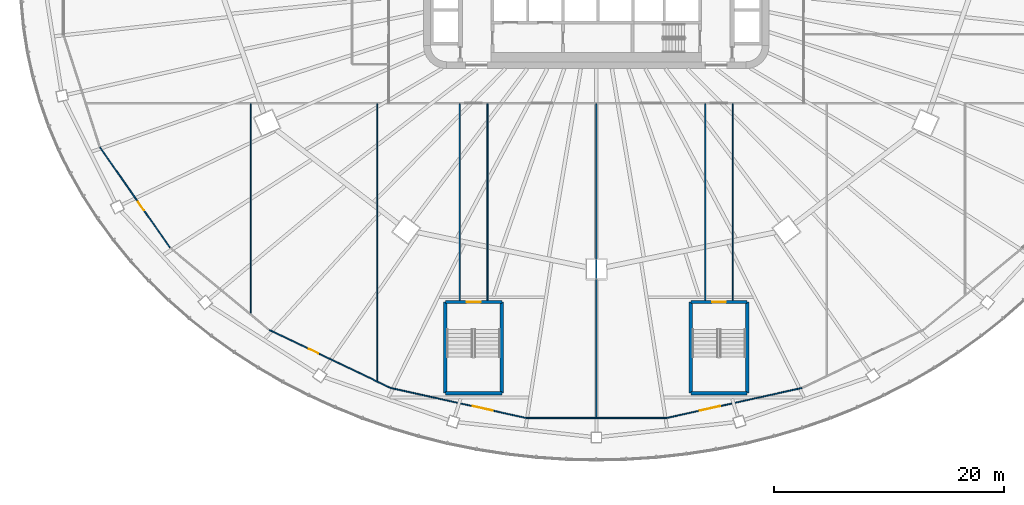
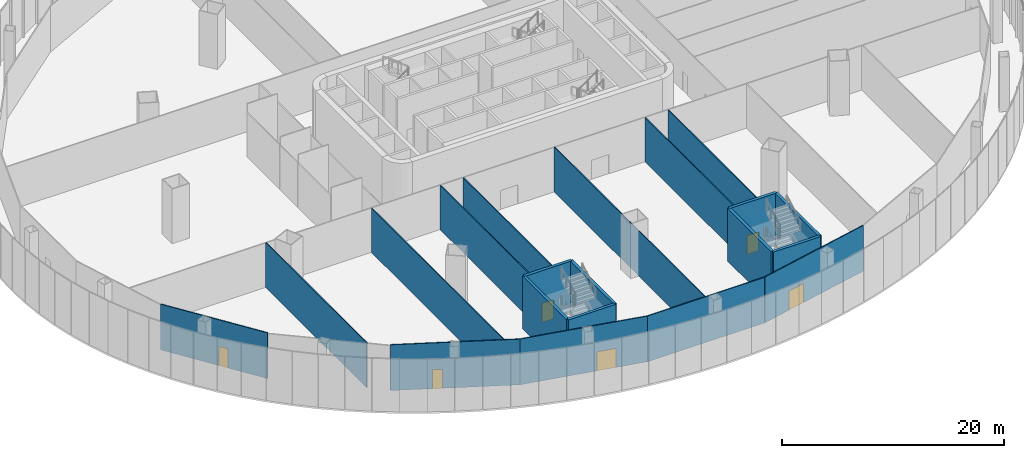
# One storey, part 20 of 37: 20 walls, 6 doors, 6 openings.
"""IFC4 building model written with IfcOpenShell, lengths in metres."""

from ifc_helpers import new_model, si_unit, direction, frame, frame_2d, origin, place, context, subcontext, project, spatial, rectangle, extrude, material, layer, layer_set, type_object, element, fill, save


model = new_model("IFC4")

# Units and contexts
model_context = context("Model", 3, precision=1e-05, world=origin(), true_north=direction((0.0, 1.0)))
body_context = subcontext(model_context, "Body", "Model", "MODEL_VIEW")
ifc_project = project(units=[si_unit("LENGTHUNIT", "METRE"), si_unit("AREAUNIT", "SQUARE_METRE"), si_unit("VOLUMEUNIT", "CUBIC_METRE"), si_unit("PLANEANGLEUNIT", "RADIAN"), si_unit("MASSUNIT", "GRAM", prefix="KILO")], contexts=[model_context])

# Site, building, storey
site_placement = place(None, origin())
site = spatial("IfcSite", under=ifc_project, at=site_placement, CompositionType="ELEMENT")
building_placement = place(site_placement, origin())
building = spatial("IfcBuilding", under=site, at=building_placement, Name="Sahrelin Media Tower", CompositionType="ELEMENT")
storey_placement = place(building_placement, frame((0.0, 0.0, 31.39990234375)))
storey = spatial("IfcBuildingStorey", under=building, at=storey_placement, Name="L04", CompositionType="ELEMENT", Elevation=31.39990234375)

# Wall, opening, door
ifc_material_1 = material(Name="Gypsum board partition")
ifc_layer_1 = layer(ifc_material_1, 0.10009765625)
ifc_layer_set_1 = layer_set([ifc_layer_1], Name="Partition 100")
wall_type_1 = type_object("IfcWallType", Name="Partition 100", PredefinedType="PARTITIONING", material=ifc_layer_set_1)
wall_1_placement = place(storey_placement, frame((-43.09912109375, -14.790771484375, 0.0), z_axis=(0.0, 0.0, 1.0), x_axis=(0.571737958261, -0.820436290692, 0.0)))
wall_1 = element("IfcWall", 1, at=wall_1_placement, inside=storey, type_object=wall_type_1, Name="Wall", PredefinedType="PARTITIONING", context=body_context, shape_type="SweptSolid", body=[
    extrude(rectangle(XDim=10.650146484375, YDim=0.10009765625, at=frame_2d((5.3251953125, 0.0))), origin(), (0.0, 0.0, 1.0), 5.026123046875),
])
opening_1_placement = place(wall_1_placement, frame((5.7900390625, 0.0, 0.0)))
opening_1 = element("IfcOpeningElement", 2, at=opening_1_placement, cuts=wall_1, Name="Opening L04-D28", PredefinedType="OPENING", context=body_context, shape_type="SweptSolid", body=[
    extrude(rectangle(XDim=0.89990234375, YDim=2.10009765625, at=frame_2d((0.449951171875, 1.050048828125))), frame((0.0, 0.050048828125, 0.0), z_axis=(0.0, -1.0, 0.0), x_axis=(1.0, 0.0, 0.0)), (0.0, 0.0, 1.0), 0.10009765625),
])
ifc_material_2 = material(Name="Timber door leaf", Category="wood")
door_type_1 = type_object("IfcDoorType", Name="Single door 900 x 2100", OperationType="NOTDEFINED", PredefinedType="DOOR", material=ifc_material_2)
door_1_placement = place(opening_1_placement, origin())
door_1 = element("IfcDoor", 3, at=door_1_placement, inside=storey, type_object=door_type_1, Name="Single door", OperationType="SINGLE_SWING_RIGHT", OverallHeight=2.10009765625, OverallWidth=0.89990234375, PredefinedType="DOOR", context=body_context, shape_type="SweptSolid", body=[
    extrude(rectangle(XDim=0.89990234375, YDim=2.10009765625, at=frame_2d((0.449951171875, 1.050048828125))), frame((0.0, 0.02490234375, 0.0), z_axis=(0.0, -1.0, 0.0), x_axis=(1.0, 0.0, 0.0)), (0.0, 0.0, 1.0), 0.050048828125),
])
fill(opening_1, door_1)

wall_2_placement = place(storey_placement, frame((-28.398681640625, -30.6630859375, 0.0), z_axis=(0.0, 0.0, 1.0), x_axis=(0.902100999032, -0.431524955878, 0.0)))
wall_2 = element("IfcWall", 4, at=wall_2_placement, inside=storey, type_object=wall_type_1, Name="Wall", PredefinedType="PARTITIONING", context=body_context, shape_type="SweptSolid", body=[
    extrude(rectangle(XDim=11.69091796875, YDim=0.10009765625, at=frame_2d((5.845458984375, 0.0))), origin(), (0.0, 0.0, 1.0), 5.026123046875),
])
opening_2_placement = place(wall_2_placement, frame((3.820068359375, 0.0, 0.0)))
opening_2 = element("IfcOpeningElement", 5, at=opening_2_placement, cuts=wall_2, Name="Opening L04-D29", PredefinedType="OPENING", context=body_context, shape_type="SweptSolid", body=[
    extrude(rectangle(XDim=0.89990234375, YDim=2.10009765625, at=frame_2d((0.449951171875, 1.050048828125))), frame((0.0, 0.050048828125, 0.0), z_axis=(0.0, -1.0, 0.0), x_axis=(1.0, 0.0, 0.0)), (0.0, 0.0, 1.0), 0.10009765625),
])
door_2_placement = place(opening_2_placement, origin())
door_2 = element("IfcDoor", 6, at=door_2_placement, inside=storey, type_object=door_type_1, Name="Single door", OperationType="SINGLE_SWING_LEFT", OverallHeight=2.10009765625, OverallWidth=0.89990234375, PredefinedType="DOOR", context=body_context, shape_type="SweptSolid", body=[
    extrude(rectangle(XDim=0.89990234375, YDim=2.10009765625, at=frame_2d((0.449951171875, 1.050048828125))), frame((0.0, 0.02490234375, 0.0), z_axis=(0.0, -1.0, 0.0), x_axis=(1.0, 0.0, 0.0)), (0.0, 0.0, 1.0), 0.050048828125),
])
fill(opening_2, door_2)

wall_3_placement = place(storey_placement, frame((-17.852294921875, -35.7080078125, 0.0), z_axis=(0.0, 0.0, 1.0), x_axis=(0.97623471049, -0.216715920124, 0.0)))
wall_3 = element("IfcWall", 7, at=wall_3_placement, inside=storey, type_object=wall_type_1, Name="Wall", PredefinedType="PARTITIONING", context=body_context, shape_type="SweptSolid", body=[
    extrude(rectangle(XDim=12.049560546875, YDim=0.10009765625, at=frame_2d((6.02490234375, 0.0))), origin(), (0.0, 0.0, 1.0), 5.026123046875),
])
opening_3_placement = place(wall_3_placement, frame((7.2958984375, 0.0, 0.0)))
opening_3 = element("IfcOpeningElement", 8, at=opening_3_placement, cuts=wall_3, Name="Opening L04-D31", PredefinedType="OPENING", context=body_context, shape_type="SweptSolid", body=[
    extrude(rectangle(XDim=1.800048828125, YDim=2.10009765625, at=frame_2d((0.89990234375, 1.050048828125))), frame((0.0, 0.050048828125, 0.0), z_axis=(0.0, -1.0, 0.0), x_axis=(1.0, 0.0, 0.0)), (0.0, 0.0, 1.0), 0.10009765625),
])
door_type_2 = type_object("IfcDoorType", Name="Double door 1800 x 2100", OperationType="DOUBLE_DOOR_SINGLE_SWING", PredefinedType="DOOR", material=ifc_material_2)
door_3_placement = place(opening_3_placement, origin())
door_3 = element("IfcDoor", 9, at=door_3_placement, inside=storey, type_object=door_type_2, Name="Double door", OperationType="DOUBLE_DOOR_SINGLE_SWING", OverallHeight=2.10009765625, OverallWidth=1.800048828125, PredefinedType="DOOR", context=body_context, shape_type="SweptSolid", body=[
    extrude(rectangle(XDim=1.800048828125, YDim=2.10009765625, at=frame_2d((0.89990234375, 1.050048828125))), frame((0.0, 0.02490234375, 0.0), z_axis=(0.0, -1.0, 0.0), x_axis=(1.0, 0.0, 0.0)), (0.0, 0.0, 1.0), 0.050048828125),
])
fill(opening_3, door_3)

# Wall
wall_4_placement = place(storey_placement, frame((-6.089111328125, -38.3193359375, 0.0), z_axis=(0.0, 0.0, 1.0), x_axis=(1.0, 0.0, 0.0)))
element("IfcWall", 10, at=wall_4_placement, inside=storey, type_object=wall_type_1, Name="Wall", PredefinedType="PARTITIONING", context=body_context, shape_type="SweptSolid", body=[
    extrude(rectangle(XDim=12.17822265625, YDim=0.10009765625, at=frame_2d((6.089111328125, 0.0))), origin(), (0.0, 0.0, 1.0), 5.026123046875),
])

# Wall, opening, door
wall_5_placement = place(storey_placement, frame((6.089111328125, -38.3193359375, 0.0), z_axis=(0.0, 0.0, 1.0), x_axis=(0.97623471049, 0.216715920124, 0.0)))
wall_5 = element("IfcWall", 11, at=wall_5_placement, inside=storey, type_object=wall_type_1, Name="Wall", PredefinedType="PARTITIONING", context=body_context, shape_type="SweptSolid", body=[
    extrude(rectangle(XDim=12.049560546875, YDim=0.10009765625, at=frame_2d((6.02490234375, 0.0))), origin(), (0.0, 0.0, 1.0), 5.026123046875),
])
opening_4_placement = place(wall_5_placement, frame((2.9541015625, 0.0, 0.0)))
opening_4 = element("IfcOpeningElement", 12, at=opening_4_placement, cuts=wall_5, Name="Opening L04-D33", PredefinedType="OPENING", context=body_context, shape_type="SweptSolid", body=[
    extrude(rectangle(XDim=1.800048828125, YDim=2.10009765625, at=frame_2d((0.89990234375, 1.050048828125))), frame((0.0, 0.050048828125, 0.0), z_axis=(0.0, -1.0, 0.0), x_axis=(1.0, 0.0, 0.0)), (0.0, 0.0, 1.0), 0.10009765625),
])
door_4_placement = place(opening_4_placement, origin())
door_4 = element("IfcDoor", 13, at=door_4_placement, inside=storey, type_object=door_type_2, Name="Double door", OperationType="DOUBLE_DOOR_SINGLE_SWING", OverallHeight=2.10009765625, OverallWidth=1.800048828125, PredefinedType="DOOR", context=body_context, shape_type="SweptSolid", body=[
    extrude(rectangle(XDim=1.800048828125, YDim=2.10009765625, at=frame_2d((0.89990234375, 1.050048828125))), frame((0.0, 0.02490234375, 0.0), z_axis=(0.0, -1.0, 0.0), x_axis=(1.0, 0.0, 0.0)), (0.0, 0.0, 1.0), 0.050048828125),
])
fill(opening_4, door_4)

# Walls
wall_6_placement = place(storey_placement, frame((-30.0, -11.050048828125, 0.0), z_axis=(0.0, 0.0, 1.0), x_axis=(0.0, -1.0, 0.0)))
element("IfcWall", 14, at=wall_6_placement, inside=storey, type_object=wall_type_1, Name="Wall", PredefinedType="PARTITIONING", context=body_context, shape_type="SweptSolid", body=[
    extrude(rectangle(XDim=18.179931640625, YDim=0.10009765625, at=frame_2d((9.08984375, 0.0))), origin(), (0.0, 0.0, 1.0), 4.945068359375),
])
wall_7_placement = place(storey_placement, frame((-19.0, -11.050048828125, 0.0), z_axis=(0.0, 0.0, 1.0), x_axis=(0.0, -1.0, 0.0)))
element("IfcWall", 15, at=wall_7_placement, inside=storey, type_object=wall_type_1, Name="Wall", PredefinedType="PARTITIONING", context=body_context, shape_type="SweptSolid", body=[
    extrude(rectangle(XDim=24.029541015625, YDim=0.10009765625, at=frame_2d((12.0146484375, 0.0))), origin(), (0.0, 0.0, 1.0), 4.868408203125),
])
wall_8_placement = place(storey_placement, frame((0.0, -11.050048828125, 0.0), z_axis=(0.0, 0.0, 1.0), x_axis=(0.0, -1.0, 0.0)))
element("IfcWall", 16, at=wall_8_placement, inside=storey, type_object=wall_type_1, Name="Wall", PredefinedType="PARTITIONING", context=body_context, shape_type="SweptSolid", body=[
    extrude(rectangle(XDim=27.21923828125, YDim=0.10009765625, at=frame_2d((13.609619140625, 0.0))), origin(), (0.0, 0.0, 1.0), 4.945068359375),
])
for number, where, z_axis, x_axis, name in (
    (17, (-11.85009765625, -11.050048828125, 0.0), (0.0, 0.0, 1.0), (0.0, -1.0, 0.0), "Wall"),
    (18, (-9.449951171875, -11.050048828125, 0.0), (0.0, 0.0, 1.0), (0.0, -1.0, 0.0), "Wall"),
    (19, (9.449951171875, -11.050048828125, 0.0), (0.0, 0.0, 1.0), (0.0, -1.0, 0.0), "Wall"),
    (20, (11.85009765625, -11.050048828125, 0.0), (0.0, 0.0, 1.0), (0.0, -1.0, 0.0), "Wall"),
):
    element("IfcWall", number, at=place(storey_placement, frame(where, z_axis=z_axis, x_axis=x_axis)), inside=storey, type_object=wall_type_1, Name=name, PredefinedType="PARTITIONING", context=body_context, shape_type="SweptSolid", body=[
        extrude(rectangle(XDim=17.050048828125, YDim=0.10009765625, at=frame_2d((8.52490234375, 0.0))), origin(), (0.0, 0.0, 1.0), 4.868408203125),
    ])
ifc_material_3 = material(Name="Concrete C60/75", Category="concrete")
ifc_layer_2 = layer(ifc_material_3, 0.300048828125)
ifc_layer_set_2 = layer_set([ifc_layer_2], Name="Stair enclosure wall 300")
wall_type_2 = type_object("IfcWallType", Name="Stair enclosure wall 300", PredefinedType="SOLIDWALL", material=ifc_layer_set_2)
wall_9_placement = place(storey_placement, frame((-8.199951171875, -36.14990234375, 0.0), z_axis=(0.0, 0.0, 1.0), x_axis=(-1.0, 0.0, 0.0)))
element("IfcWall", 21, at=wall_9_placement, inside=storey, type_object=wall_type_2, Name="Stair PS3", PredefinedType="SOLIDWALL", context=body_context, shape_type="SweptSolid", body=[
    extrude(rectangle(XDim=4.900146484375, YDim=0.300048828125, at=frame_2d((2.4501953125, 0.0))), origin(), (0.0, 0.0, 1.0), 5.800048828125),
])
wall_10_placement = place(storey_placement, frame((-13.10009765625, -36.14990234375, 0.0), z_axis=(0.0, 0.0, 1.0), x_axis=(0.0, 1.0, 0.0)))
element("IfcWall", 22, at=wall_10_placement, inside=storey, type_object=wall_type_2, Name="Stair PS3", PredefinedType="SOLIDWALL", context=body_context, shape_type="SweptSolid", body=[
    extrude(rectangle(XDim=7.89990234375, YDim=0.300048828125, at=frame_2d((3.949951171875, 0.0))), origin(), (0.0, 0.0, 1.0), 5.800048828125),
])

# Wall, opening, door
wall_11_placement = place(storey_placement, frame((-13.10009765625, -28.25, 0.0), z_axis=(0.0, 0.0, 1.0), x_axis=(1.0, 0.0, 0.0)))
wall_11 = element("IfcWall", 23, at=wall_11_placement, inside=storey, type_object=wall_type_2, Name="Stair PS3", PredefinedType="SOLIDWALL", context=body_context, shape_type="SweptSolid", body=[
    extrude(rectangle(XDim=4.900146484375, YDim=0.300048828125, at=frame_2d((2.4501953125, 0.0))), origin(), (0.0, 0.0, 1.0), 5.800048828125),
])
opening_5_placement = place(wall_11_placement, frame((1.85009765625, 0.0, 0.0)))
opening_5 = element("IfcOpeningElement", 24, at=opening_5_placement, cuts=wall_11, Name="Opening L04-D51", PredefinedType="OPENING", context=body_context, shape_type="SweptSolid", body=[
    extrude(rectangle(XDim=1.199951171875, YDim=2.10009765625, at=frame_2d((0.60009765625, 1.050048828125))), frame((0.0, 0.14990234375, 0.0), z_axis=(0.0, -1.0, 0.0), x_axis=(1.0, 0.0, 0.0)), (0.0, 0.0, 1.0), 0.300048828125),
])
ifc_material_4 = material(Name="Steel fire door leaf", Category="steel")
door_type_3 = type_object("IfcDoorType", Name="Stair door 1200 x 2100 EI 120", OperationType="NOTDEFINED", PredefinedType="DOOR", material=ifc_material_4)
door_5_placement = place(opening_5_placement, origin())
door_5 = element("IfcDoor", 25, at=door_5_placement, inside=storey, type_object=door_type_3, Name="Stair door", OperationType="SINGLE_SWING_RIGHT", OverallHeight=2.10009765625, OverallWidth=1.199951171875, PredefinedType="DOOR", context=body_context, shape_type="SweptSolid", body=[
    extrude(rectangle(XDim=1.199951171875, YDim=2.10009765625, at=frame_2d((0.60009765625, 1.050048828125))), frame((0.0, 0.02490234375, 0.0), z_axis=(0.0, -1.0, 0.0), x_axis=(1.0, 0.0, 0.0)), (0.0, 0.0, 1.0), 0.050048828125),
])
fill(opening_5, door_5)

# Walls
wall_12_placement = place(storey_placement, frame((-8.199951171875, -28.25, 0.0), z_axis=(0.0, 0.0, 1.0), x_axis=(0.0, -1.0, 0.0)))
element("IfcWall", 26, at=wall_12_placement, inside=storey, type_object=wall_type_2, Name="Stair PS3", PredefinedType="SOLIDWALL", context=body_context, shape_type="SweptSolid", body=[
    extrude(rectangle(XDim=7.89990234375, YDim=0.300048828125, at=frame_2d((3.949951171875, 0.0))), origin(), (0.0, 0.0, 1.0), 5.800048828125),
])
wall_13_placement = place(storey_placement, frame((13.10009765625, -36.14990234375, 0.0), z_axis=(0.0, 0.0, 1.0), x_axis=(-1.0, 0.0, 0.0)))
element("IfcWall", 27, at=wall_13_placement, inside=storey, type_object=wall_type_2, Name="Stair PS4", PredefinedType="SOLIDWALL", context=body_context, shape_type="SweptSolid", body=[
    extrude(rectangle(XDim=4.900146484375, YDim=0.300048828125, at=frame_2d((2.4501953125, 0.0))), origin(), (0.0, 0.0, 1.0), 5.800048828125),
])
wall_14_placement = place(storey_placement, frame((8.199951171875, -36.14990234375, 0.0), z_axis=(0.0, 0.0, 1.0), x_axis=(0.0, 1.0, 0.0)))
element("IfcWall", 28, at=wall_14_placement, inside=storey, type_object=wall_type_2, Name="Stair PS4", PredefinedType="SOLIDWALL", context=body_context, shape_type="SweptSolid", body=[
    extrude(rectangle(XDim=7.89990234375, YDim=0.300048828125, at=frame_2d((3.949951171875, 0.0))), origin(), (0.0, 0.0, 1.0), 5.800048828125),
])

# Wall, opening, door
wall_15_placement = place(storey_placement, frame((8.199951171875, -28.25, 0.0), z_axis=(0.0, 0.0, 1.0), x_axis=(1.0, 0.0, 0.0)))
wall_15 = element("IfcWall", 29, at=wall_15_placement, inside=storey, type_object=wall_type_2, Name="Stair PS4", PredefinedType="SOLIDWALL", context=body_context, shape_type="SweptSolid", body=[
    extrude(rectangle(XDim=4.900146484375, YDim=0.300048828125, at=frame_2d((2.4501953125, 0.0))), origin(), (0.0, 0.0, 1.0), 5.800048828125),
])
opening_6_placement = place(wall_15_placement, frame((1.85009765625, 0.0, 0.0)))
opening_6 = element("IfcOpeningElement", 30, at=opening_6_placement, cuts=wall_15, Name="Opening L04-D52", PredefinedType="OPENING", context=body_context, shape_type="SweptSolid", body=[
    extrude(rectangle(XDim=1.199951171875, YDim=2.10009765625, at=frame_2d((0.60009765625, 1.050048828125))), frame((0.0, 0.14990234375, 0.0), z_axis=(0.0, -1.0, 0.0), x_axis=(1.0, 0.0, 0.0)), (0.0, 0.0, 1.0), 0.300048828125),
])
door_6_placement = place(opening_6_placement, origin())
door_6 = element("IfcDoor", 31, at=door_6_placement, inside=storey, type_object=door_type_3, Name="Stair door", OperationType="SINGLE_SWING_RIGHT", OverallHeight=2.10009765625, OverallWidth=1.199951171875, PredefinedType="DOOR", context=body_context, shape_type="SweptSolid", body=[
    extrude(rectangle(XDim=1.199951171875, YDim=2.10009765625, at=frame_2d((0.60009765625, 1.050048828125))), frame((0.0, 0.02490234375, 0.0), z_axis=(0.0, -1.0, 0.0), x_axis=(1.0, 0.0, 0.0)), (0.0, 0.0, 1.0), 0.050048828125),
])
fill(opening_6, door_6)

# Wall
wall_16_placement = place(storey_placement, frame((13.10009765625, -28.25, 0.0), z_axis=(0.0, 0.0, 1.0), x_axis=(0.0, -1.0, 0.0)))
element("IfcWall", 32, at=wall_16_placement, inside=storey, type_object=wall_type_2, Name="Stair PS4", PredefinedType="SOLIDWALL", context=body_context, shape_type="SweptSolid", body=[
    extrude(rectangle(XDim=7.89990234375, YDim=0.300048828125, at=frame_2d((3.949951171875, 0.0))), origin(), (0.0, 0.0, 1.0), 5.800048828125),
])

save(model, "model.ifc")
